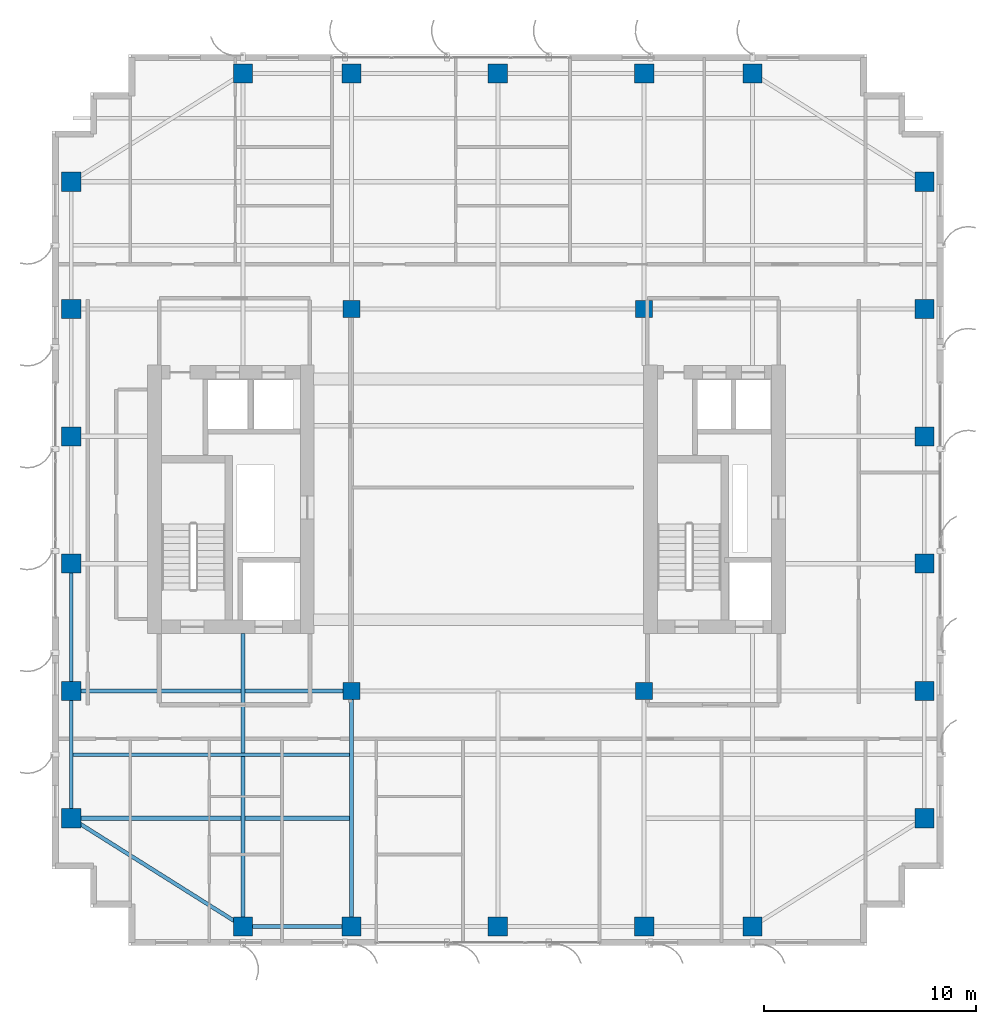
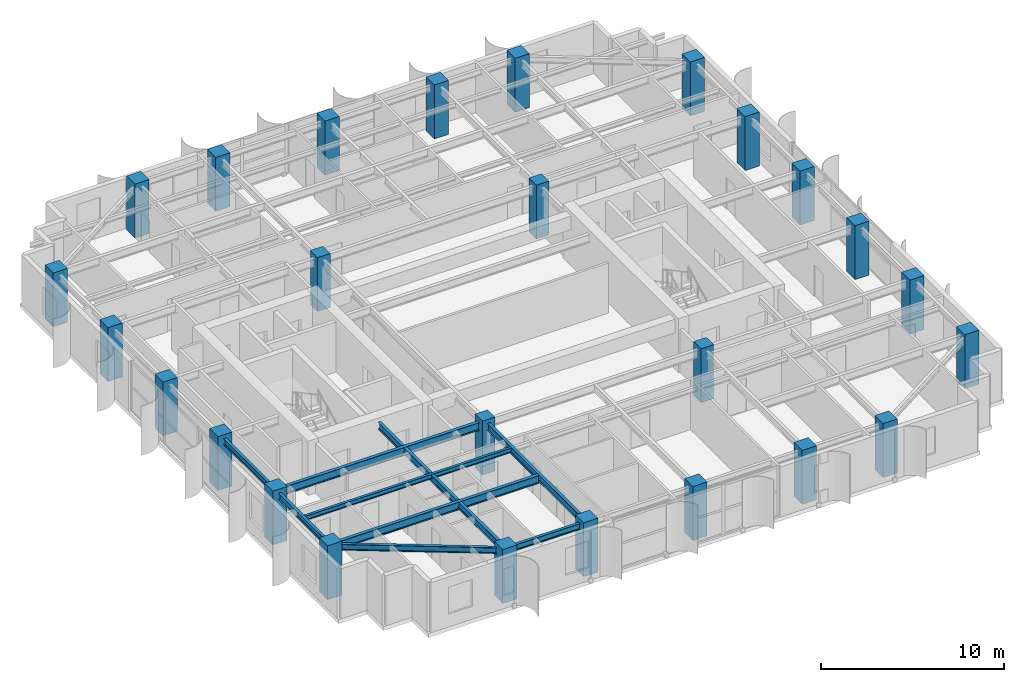
# One storey, part 1 of 22: 26 columns, 9 beams.
"""IFC4 building model written with IfcOpenShell, lengths in metres."""

from ifc_helpers import new_model, si_unit, direction, frame, origin, origin_2d, place, context, subcontext, project, spatial, rectangle, i_section, extrude, source, transform, mapped, material, material_profile, profile_set, type_object, element, save


model = new_model("IFC4")

# Units and contexts
model_context = context("Model", 3, precision=1e-05, world=origin(), true_north=direction((0.0, 1.0)))
body_context = subcontext(model_context, "Body", "Model", "MODEL_VIEW")
ifc_project = project(units=[si_unit("LENGTHUNIT", "METRE"), si_unit("AREAUNIT", "SQUARE_METRE"), si_unit("VOLUMEUNIT", "CUBIC_METRE"), si_unit("PLANEANGLEUNIT", "RADIAN"), si_unit("MASSUNIT", "GRAM", prefix="KILO")], contexts=[model_context])

# Site, building, storey
site_placement = place(None, origin())
site = spatial("IfcSite", under=ifc_project, at=site_placement, CompositionType="ELEMENT")
building_placement = place(site_placement, origin())
building = spatial("IfcBuilding", under=site, at=building_placement, Name="Khoralis Quay Care Tower", CompositionType="ELEMENT")
storey_placement = place(building_placement, frame((0.0, 0.0, 170.10009765625)))
storey = spatial("IfcBuildingStorey", under=building, at=storey_placement, Name="L44", CompositionType="ELEMENT", Elevation=170.10009765625)

# Columns
ifc_material_1 = material(Name="Concrete C65/80", Category="concrete")
ifc_material_profile_1 = material_profile(ifc_material_1, rectangle(XDim=0.89990234375, YDim=0.89990234375, at=origin_2d()), Name="Concrete C65/80")
ifc_profile_set_1 = profile_set([ifc_material_profile_1], Name="Concrete C65/80")
column_type_1 = type_object("IfcColumnType", Name="COL-C900", PredefinedType="COLUMN", material=ifc_profile_set_1)
shared_shape_1 = source(origin(), body_context, "Body", "SweptSolid", [
    extrude(rectangle(XDim=0.89990234375, YDim=0.89990234375, at=origin_2d()), origin(), (0.0, 0.0, 1.0), 3.599853515625),
])
for number, where, z_axis, x_axis, name in (
    (1, (12.0, 0.89990234375, 0.0), (0.0, 0.0, 1.0), (1.0, 0.0, 0.0), "COL-TWR-L44-01"),
    (2, (12.0, 41.10009765625, 0.0), (0.0, 0.0, 1.0), (1.0, 0.0, 0.0), "COL-TWR-L44-02"),
    (3, (17.10009765625, 0.89990234375, 0.0), (0.0, 0.0, 1.0), (1.0, 0.0, 0.0), "COL-TWR-L44-03"),
    (4, (17.10009765625, 41.10009765625, 0.0), (0.0, 0.0, 1.0), (1.0, 0.0, 0.0), "COL-TWR-L44-04"),
    (5, (24.0, 0.89990234375, 0.0), (0.0, 0.0, 1.0), (1.0, 0.0, 0.0), "COL-TWR-L44-05"),
    (6, (24.0, 41.10009765625, 0.0), (0.0, 0.0, 1.0), (1.0, 0.0, 0.0), "COL-TWR-L44-06"),
    (7, (30.89990234375, 0.89990234375, 0.0), (0.0, 0.0, 1.0), (1.0, 0.0, 0.0), "COL-TWR-L44-07"),
    (8, (30.89990234375, 41.10009765625, 0.0), (0.0, 0.0, 1.0), (1.0, 0.0, 0.0), "COL-TWR-L44-08"),
    (9, (36.0, 0.89990234375, 0.0), (0.0, 0.0, 1.0), (1.0, 0.0, 0.0), "COL-TWR-L44-09"),
    (10, (36.0, 41.10009765625, 0.0), (0.0, 0.0, 1.0), (1.0, 0.0, 0.0), "COL-TWR-L44-10"),
    (11, (3.89990234375, 6.0, 0.0), (0.0, 0.0, 1.0), (1.0, 0.0, 0.0), "COL-TWR-L44-11"),
    (12, (44.10009765625, 6.0, 0.0), (0.0, 0.0, 1.0), (1.0, 0.0, 0.0), "COL-TWR-L44-12"),
    (13, (3.89990234375, 12.0, 0.0), (0.0, 0.0, 1.0), (1.0, 0.0, 0.0), "COL-TWR-L44-13"),
    (14, (44.10009765625, 12.0, 0.0), (0.0, 0.0, 1.0), (1.0, 0.0, 0.0), "COL-TWR-L44-14"),
    (15, (3.89990234375, 18.0, 0.0), (0.0, 0.0, 1.0), (1.0, 0.0, 0.0), "COL-TWR-L44-15"),
    (16, (44.10009765625, 18.0, 0.0), (0.0, 0.0, 1.0), (1.0, 0.0, 0.0), "COL-TWR-L44-16"),
    (17, (3.89990234375, 24.0, 0.0), (0.0, 0.0, 1.0), (1.0, 0.0, 0.0), "COL-TWR-L44-17"),
    (18, (44.10009765625, 24.0, 0.0), (0.0, 0.0, 1.0), (1.0, 0.0, 0.0), "COL-TWR-L44-18"),
    (19, (3.89990234375, 30.0, 0.0), (0.0, 0.0, 1.0), (1.0, 0.0, 0.0), "COL-TWR-L44-19"),
    (20, (44.10009765625, 30.0, 0.0), (0.0, 0.0, 1.0), (1.0, 0.0, 0.0), "COL-TWR-L44-20"),
    (21, (3.89990234375, 36.0, 0.0), (0.0, 0.0, 1.0), (1.0, 0.0, 0.0), "COL-TWR-L44-21"),
    (22, (44.10009765625, 36.0, 0.0), (0.0, 0.0, 1.0), (1.0, 0.0, 0.0), "COL-TWR-L44-22"),
):
    element("IfcColumn", number, at=place(storey_placement, frame(where, z_axis=z_axis, x_axis=x_axis)), inside=storey, type_object=column_type_1, Name=name, PredefinedType="COLUMN", context=body_context, shape_type="MappedRepresentation", body=[
        mapped(shared_shape_1, transform((0.0, 0.0, 0.0), scale=1.0)),
    ])
ifc_material_2 = material(Name="Concrete C50/60", Category="concrete")
ifc_material_profile_2 = material_profile(ifc_material_2, rectangle(XDim=0.800048828125, YDim=0.800048828125, at=origin_2d()), Name="Concrete C50/60")
ifc_profile_set_2 = profile_set([ifc_material_profile_2], Name="Concrete C50/60")
column_type_2 = type_object("IfcColumnType", Name="COL-C800", PredefinedType="COLUMN", material=ifc_profile_set_2)
shared_shape_2 = source(origin(), body_context, "Body", "SweptSolid", [
    extrude(rectangle(XDim=0.800048828125, YDim=0.800048828125, at=origin_2d()), origin(), (0.0, 0.0, 1.0), 3.599853515625),
])
for number, where, z_axis, x_axis, name in (
    (23, (17.10009765625, 12.0, 0.0), (0.0, 0.0, 1.0), (1.0, 0.0, 0.0), "COL-TWR-L44-23"),
    (24, (17.10009765625, 30.0, 0.0), (0.0, 0.0, 1.0), (1.0, 0.0, 0.0), "COL-TWR-L44-24"),
    (25, (30.89990234375, 12.0, 0.0), (0.0, 0.0, 1.0), (1.0, 0.0, 0.0), "COL-TWR-L44-25"),
    (26, (30.89990234375, 30.0, 0.0), (0.0, 0.0, 1.0), (1.0, 0.0, 0.0), "COL-TWR-L44-26"),
):
    element("IfcColumn", number, at=place(storey_placement, frame(where, z_axis=z_axis, x_axis=x_axis)), inside=storey, type_object=column_type_2, Name=name, PredefinedType="COLUMN", context=body_context, shape_type="MappedRepresentation", body=[
        mapped(shared_shape_2, transform((0.0, 0.0, 0.0), scale=1.0)),
    ])

# Beams
ifc_material_3 = material(Name="Steel S355", Category="steel")
ifc_material_profile_3 = material_profile(ifc_material_3, i_section(OverallWidth=0.179931640625, OverallDepth=0.39990234375, WebThickness=0.008544921875, FlangeThickness=0.013427734375, FilletRadius=0.02099609375, at=origin_2d()), Name="Steel S355")
ifc_profile_set_3 = profile_set([ifc_material_profile_3], Name="Steel S355")
beam_type_1 = type_object("IfcBeamType", Name="BM-IPE400", PredefinedType="SPANDREL", material=ifc_profile_set_3)
shared_shape_3 = source(origin(), body_context, "Body", "SweptSolid", [
    extrude(i_section(OverallWidth=0.179931640625, OverallDepth=0.39990234375, WebThickness=0.008544921875, FlangeThickness=0.013427734375, FilletRadius=0.02099609375, at=origin_2d()), origin(), (0.0, 0.0, 1.0), 6.0),
])
for number, where, z_axis, x_axis, name in (
    (27, (3.89990234375, 6.0, 3.139892578125), (0.0, 1.0, 0.0), (-1.0, 0.0, 0.0), "BM-TSP-L44-09"),
    (28, (3.89990234375, 12.0, 3.139892578125), (0.0, 1.0, 0.0), (-1.0, 0.0, 0.0), "BM-TSP-L44-10"),
):
    element("IfcBeam", number, at=place(storey_placement, frame(where, z_axis=z_axis, x_axis=x_axis)), inside=storey, type_object=beam_type_1, Name=name, PredefinedType="SPANDREL", context=body_context, shape_type="MappedRepresentation", body=[
        mapped(shared_shape_3, transform((0.0, 0.0, 0.0), scale=1.0)),
    ])
shared_shape_4 = source(origin(), body_context, "Body", "SweptSolid", [
    extrude(i_section(OverallWidth=0.179931640625, OverallDepth=0.39990234375, WebThickness=0.008544921875, FlangeThickness=0.013427734375, FilletRadius=0.02099609375, at=origin_2d()), origin(), (0.0, 0.0, 1.0), 5.10009765625),
])
beam_1_placement = place(storey_placement, frame((12.0, 0.89990234375, 3.139892578125), z_axis=(1.0, 0.0, 0.0), x_axis=(0.0, 1.0, 0.0)))
element("IfcBeam", 29, at=beam_1_placement, inside=storey, type_object=beam_type_1, Name="BM-TSP-L44-01", PredefinedType="SPANDREL", context=body_context, shape_type="MappedRepresentation", body=[
    mapped(shared_shape_4, transform((0.0, 0.0, 0.0), scale=1.0)),
])
shared_shape_5 = source(origin(), body_context, "Body", "SweptSolid", [
    extrude(i_section(OverallWidth=0.179931640625, OverallDepth=0.39990234375, WebThickness=0.008544921875, FlangeThickness=0.013427734375, FilletRadius=0.02099609375, at=origin_2d()), origin(), (0.0, 0.0, 1.0), 9.572021484375),
])
beam_2_placement = place(storey_placement, frame((12.0, 0.89990234375, 3.139892578125), z_axis=(-0.846231136359, 0.532815975602, 0.0), x_axis=(-0.532815975602, -0.846231136359, 0.0)))
element("IfcBeam", 30, at=beam_2_placement, inside=storey, type_object=beam_type_1, Name="BM-TCR-L44-19", PredefinedType="SPANDREL", context=body_context, shape_type="MappedRepresentation", body=[
    mapped(shared_shape_5, transform((0.0, 0.0, 0.0), scale=1.0)),
])
ifc_material_profile_4 = material_profile(ifc_material_3, i_section(OverallWidth=0.208984375, OverallDepth=0.532958984375, WebThickness=0.01025390625, FlangeThickness=0.015625, FilletRadius=0.01611328125, at=origin_2d()), Name="Steel S355")
ifc_profile_set_4 = profile_set([ifc_material_profile_4], Name="Steel S355")
beam_type_2 = type_object("IfcBeamType", Name="BM-W530X92", PredefinedType="BEAM", material=ifc_profile_set_4)
shared_shape_6 = source(origin(), body_context, "Body", "SweptSolid", [
    extrude(i_section(OverallWidth=0.208984375, OverallDepth=0.532958984375, WebThickness=0.01025390625, FlangeThickness=0.015625, FilletRadius=0.01611328125, at=origin_2d()), origin(), (0.0, 0.0, 1.0), 13.1162109375),
])
beam_3_placement = place(storey_placement, frame((3.89990234375, 6.0, 3.073486328125), z_axis=(1.0, 0.0, 0.0), x_axis=(0.0, 1.0, 0.0)))
element("IfcBeam", 31, at=beam_3_placement, inside=storey, type_object=beam_type_2, Name="BM-TGXW-L44-60", PredefinedType="BEAM", context=body_context, shape_type="MappedRepresentation", body=[
    mapped(shared_shape_6, transform((0.0, 0.0, 0.0), scale=1.0)),
])
shared_shape_7 = source(origin(), body_context, "Body", "SweptSolid", [
    extrude(i_section(OverallWidth=0.208984375, OverallDepth=0.532958984375, WebThickness=0.01025390625, FlangeThickness=0.015625, FilletRadius=0.01611328125, at=origin_2d()), origin(), (0.0, 0.0, 1.0), 13.2001953125),
])
beam_4_placement = place(storey_placement, frame((3.89990234375, 12.0, 3.073486328125), z_axis=(1.0, 0.0, 0.0), x_axis=(0.0, 1.0, 0.0)))
element("IfcBeam", 32, at=beam_4_placement, inside=storey, type_object=beam_type_2, Name="BM-TGXW-L44-120", PredefinedType="BEAM", context=body_context, shape_type="MappedRepresentation", body=[
    mapped(shared_shape_7, transform((0.0, 0.0, 0.0), scale=1.0)),
])
ifc_material_profile_5 = material_profile(ifc_material_3, i_section(OverallWidth=0.19189453125, OverallDepth=0.462890625, WebThickness=0.010498046875, FlangeThickness=0.017578125, FilletRadius=0.014892578125, at=origin_2d()), Name="Steel S355")
ifc_profile_set_5 = profile_set([ifc_material_profile_5], Name="Steel S355")
beam_type_3 = type_object("IfcBeamType", Name="BM-W460X89", PredefinedType="BEAM", material=ifc_profile_set_5)
shared_shape_8 = source(origin(), body_context, "Body", "SweptSolid", [
    extrude(i_section(OverallWidth=0.19189453125, OverallDepth=0.462890625, WebThickness=0.010498046875, FlangeThickness=0.017578125, FilletRadius=0.014892578125, at=origin_2d()), origin(), (0.0, 0.0, 1.0), 13.802001953125),
])
beam_5_placement = place(storey_placement, frame((12.0, 0.89990234375, 3.1083984375), z_axis=(0.0, 1.0, 0.0), x_axis=(-1.0, 0.0, 0.0)))
element("IfcBeam", 33, at=beam_5_placement, inside=storey, type_object=beam_type_3, Name="BM-TGYS-L44-120", PredefinedType="BEAM", context=body_context, shape_type="MappedRepresentation", body=[
    mapped(shared_shape_8, transform((0.0, 0.0, 0.0), scale=1.0)),
])
shared_shape_9 = source(origin(), body_context, "Body", "SweptSolid", [
    extrude(i_section(OverallWidth=0.19189453125, OverallDepth=0.462890625, WebThickness=0.010498046875, FlangeThickness=0.017578125, FilletRadius=0.014892578125, at=origin_2d()), origin(), (0.0, 0.0, 1.0), 11.10009765625),
])
beam_6_placement = place(storey_placement, frame((17.10009765625, 0.89990234375, 3.1083984375), z_axis=(0.0, 1.0, 0.0), x_axis=(-1.0, 0.0, 0.0)))
element("IfcBeam", 34, at=beam_6_placement, inside=storey, type_object=beam_type_3, Name="BM-TGYS-L44-171", PredefinedType="BEAM", context=body_context, shape_type="MappedRepresentation", body=[
    mapped(shared_shape_9, transform((0.0, 0.0, 0.0), scale=1.0)),
])
ifc_material_profile_6 = material_profile(ifc_material_3, i_section(OverallWidth=0.1650390625, OverallDepth=0.31005859375, WebThickness=0.005859375, FlangeThickness=0.009765625, FilletRadius=0.011962890625, at=origin_2d()), Name="Steel S355")
ifc_profile_set_6 = profile_set([ifc_material_profile_6], Name="Steel S355")
beam_type_4 = type_object("IfcBeamType", Name="BM-W310X39", PredefinedType="JOIST", material=ifc_profile_set_6)
shared_shape_10 = source(origin(), body_context, "Body", "SweptSolid", [
    extrude(i_section(OverallWidth=0.1650390625, OverallDepth=0.31005859375, WebThickness=0.005859375, FlangeThickness=0.009765625, FilletRadius=0.011962890625, at=origin_2d()), origin(), (0.0, 0.0, 1.0), 13.0400390625),
])
beam_7_placement = place(storey_placement, frame((3.97607421875, 9.0, 3.184814453125), z_axis=(1.0, 0.0, 0.0), x_axis=(0.0, 1.0, 0.0)))
element("IfcBeam", 35, at=beam_7_placement, inside=storey, type_object=beam_type_4, Name="BM-TJS-L44-23", PredefinedType="JOIST", context=body_context, shape_type="MappedRepresentation", body=[
    mapped(shared_shape_10, transform((0.0, 0.0, 0.0), scale=1.0)),
])

save(model, "model.ifc")
